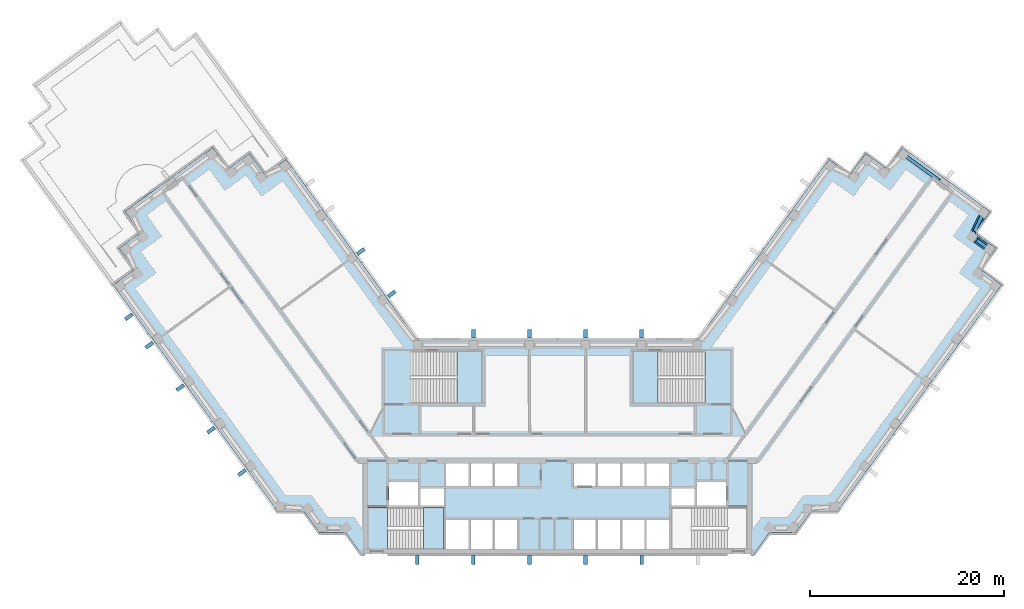
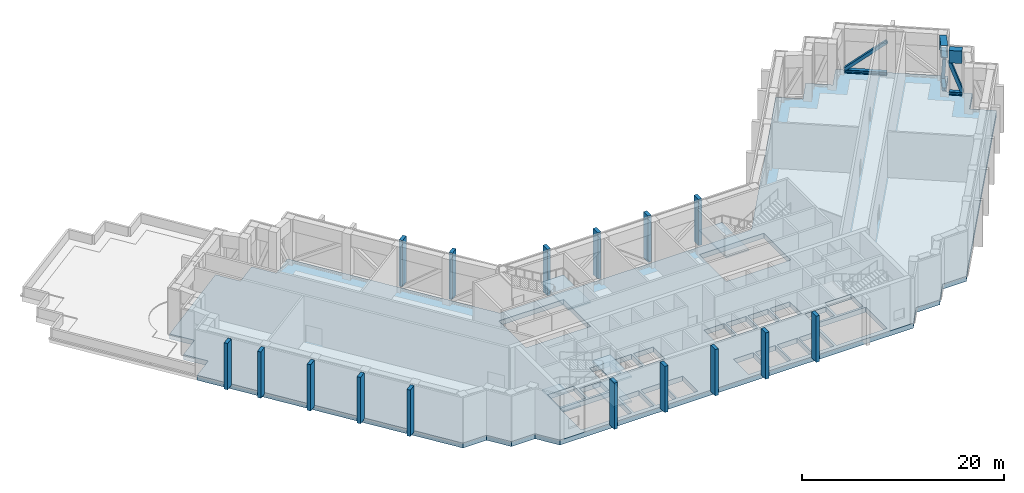
# One storey, part 4 of 16: 16 plates, 6 slabs, 5 beams, 3 members, 3 elements without a shape of their own.
"""IFC4 building model written with IfcOpenShell, lengths in metres."""

import ifcopenshell
import ifcopenshell.guid

model = None  # the IFC model being written
_history = None  # IfcOwnerHistory: only IFC2X3 demands one
_inside = {}  # id of a spatial element -> (the spatial element, [elements in it])
_under = {}  # id of a project, library or spatial element -> (it, [spatial elements below it])
_declared = {}  # id of a project -> (the project, [libraries it declares])
_typed = {}  # id of a type object -> (the type object, [elements of that type])
_made_of = {}  # id of a material, layer set ... -> (it, [elements and type objects made of it])


def new_model(schema):
    """Start an empty IFC model of exactly this schema.

    Asked for "IFC4X3", IfcOpenShell would pick the latest addendum, in which some entities
    have other attributes; the version numbers below select the first issue.
    IFC2X3 requires an IfcOwnerHistory on every rooted entity: one is made here for all.
    """
    global model, _history
    if schema == "IFC4X3":
        model = ifcopenshell.file(schema_version=(4, 3, 0, 0))
    else:
        model = ifcopenshell.file(schema=schema)
    _inside.clear()
    _under.clear()
    _declared.clear()
    _typed.clear()
    _made_of.clear()
    _history = None
    if model.schema == "IFC2X3":
        org = make("IfcOrganization", Name="unknown")
        user = make(
            "IfcPersonAndOrganization",
            ThePerson=make("IfcPerson", FamilyName="unknown"),
            TheOrganization=org,
        )
        app = make(
            "IfcApplication",
            ApplicationDeveloper=org,
            Version="unknown",
            ApplicationFullName="unknown",
            ApplicationIdentifier="unknown",
        )
        _history = make(
            "IfcOwnerHistory",
            OwningUser=user,
            OwningApplication=app,
            ChangeAction="ADDED",
            CreationDate=0,
        )
    return model


def make(cls, **values):
    """One entity of the class cls with the attributes given. An attribute that is None is left unset."""
    return model.create_entity(
        cls, **{name: value for name, value in values.items() if value is not None}
    )


def rooted(cls, **values):
    """An entity with a GlobalId (a new one), such as an element, a storey or a relation."""
    return make(cls, GlobalId=ifcopenshell.guid.new(), OwnerHistory=_history, **values)


def si_unit(unit_type, name, prefix=None):
    """IfcSIUnit, for example si_unit("LENGTHUNIT", "METRE", prefix="MILLI")."""
    return make("IfcSIUnit", UnitType=unit_type, Prefix=prefix, Name=name)


def assignment(units):
    """IfcUnitAssignment: the units of a project."""
    return None if units is None else make("IfcUnitAssignment", Units=units)


def point(xyz):
    """IfcCartesianPoint."""
    return None if xyz is None else make("IfcCartesianPoint", Coordinates=xyz)


def direction(xyz):
    """IfcDirection."""
    return None if xyz is None else make("IfcDirection", DirectionRatios=xyz)


def frame(location, z_axis=None, x_axis=None):
    """IfcAxis2Placement3D, a coordinate frame: its origin and axes. An axis left out is left unset."""
    return make(
        "IfcAxis2Placement3D",
        Location=point(location),
        Axis=direction(z_axis),
        RefDirection=direction(x_axis),
    )


def frame_2d(location, x_axis=None):
    """IfcAxis2Placement2D, a coordinate frame in the plane: its origin and x axis."""
    return make(
        "IfcAxis2Placement2D", Location=point(location), RefDirection=direction(x_axis)
    )


def origin():
    """The frame at (0, 0, 0) with its axes left unset."""
    return frame((0.0, 0.0, 0.0))


def origin_2d():
    """The frame at (0, 0) in the plane with its x axis left unset."""
    return frame_2d((0.0, 0.0))


def place(relative_to, where):
    """IfcLocalPlacement: puts the frame where relative to a parent placement (None: the world)."""
    return make(
        "IfcLocalPlacement", PlacementRelTo=relative_to, RelativePlacement=where
    )


def context(
    kind, dimensions, precision=None, world=None, true_north=None, identifier=None
):
    """IfcGeometricRepresentationContext, for example the 3D "Model" context."""
    return make(
        "IfcGeometricRepresentationContext",
        ContextIdentifier=identifier,
        ContextType=kind,
        CoordinateSpaceDimension=dimensions,
        Precision=precision,
        WorldCoordinateSystem=world,
        TrueNorth=true_north,
    )


def subcontext(parent, identifier, kind, view, scale=None):
    """IfcGeometricRepresentationSubContext, for example "Body" below "Model"."""
    return make(
        "IfcGeometricRepresentationSubContext",
        ContextIdentifier=identifier,
        ContextType=kind,
        ParentContext=parent,
        TargetScale=scale,
        TargetView=view,
    )


def project(units=None, contexts=None):
    """IfcProject with its units and contexts."""
    return rooted(
        "IfcProject",
        Name="project",
        RepresentationContexts=contexts,
        UnitsInContext=assignment(units),
    )


def spatial(cls, under=None, at=None, **own):
    """A site, building, storey or space (cls), placed at a placement, below another one or the project."""
    s = rooted(cls, ObjectPlacement=at, **own)
    if under is not None:
        _under.setdefault(under.id(), (under, []))[1].append(s)
    return s


def polyline(points):
    """IfcPolyline through the points."""
    return make("IfcPolyline", Points=[point(p) for p in points])


def profile(cls, at=None, kind="AREA", **sizes):
    """A parametric profile (cls). Its sizes go by their IFC names, for example OverallWidth=200.0."""
    return make(cls, ProfileType=kind, Position=at, **sizes)


def rectangle(**sizes):
    """IfcRectangleProfileDef."""
    return profile("IfcRectangleProfileDef", **sizes)


def hollow_rectangle(**sizes):
    """IfcRectangleHollowProfileDef."""
    return profile("IfcRectangleHollowProfileDef", **sizes)


def i_section(**sizes):
    """IfcIShapeProfileDef."""
    return profile("IfcIShapeProfileDef", **sizes)


def outline(outer, holes=None, kind="AREA"):
    """IfcArbitraryClosedProfileDef: a profile drawn as a closed curve; with holes, ...WithVoids."""
    if holes is None:
        return make("IfcArbitraryClosedProfileDef", ProfileType=kind, OuterCurve=outer)
    return make(
        "IfcArbitraryProfileDefWithVoids",
        ProfileType=kind,
        OuterCurve=outer,
        InnerCurves=holes,
    )


def extrude(swept, where, along, depth):
    """IfcExtrudedAreaSolid: the profile swept, set in the frame where, extruded along a direction by depth."""
    return make(
        "IfcExtrudedAreaSolid",
        SweptArea=swept,
        Position=where,
        ExtrudedDirection=direction(along),
        Depth=depth,
    )


def shape(context_of_items, identifier, shape_type, items):
    """IfcShapeRepresentation: the items that make up one representation, for example the "Body"."""
    return make(
        "IfcShapeRepresentation",
        ContextOfItems=context_of_items,
        RepresentationIdentifier=identifier,
        RepresentationType=shape_type,
        Items=items,
    )


def material(Name=None, Category=None):
    """IfcMaterial."""
    return make("IfcMaterial", Name=Name, Category=Category)


def layer(
    of_material, thickness, ventilated=None, Name=None, Category=None, Priority=None
):
    """IfcMaterialLayer: one layer of a wall or slab, of a material (None: an air gap)."""
    return make(
        "IfcMaterialLayer",
        Material=of_material,
        LayerThickness=thickness,
        IsVentilated=ventilated,
        Name=Name,
        Category=Category,
        Priority=Priority,
    )


def layer_set(layers, Name=None):
    """IfcMaterialLayerSet."""
    return make("IfcMaterialLayerSet", MaterialLayers=layers, LayerSetName=Name)


def material_profile(
    of_material, cross_section, Name=None, Category=None, Priority=None
):
    """IfcMaterialProfile: a cross section and its material."""
    return make(
        "IfcMaterialProfile",
        Name=Name,
        Material=of_material,
        Profile=cross_section,
        Priority=Priority,
        Category=Category,
    )


def profile_set(profiles, Name=None, composite=None):
    """IfcMaterialProfileSet."""
    return make(
        "IfcMaterialProfileSet",
        Name=Name,
        MaterialProfiles=profiles,
        CompositeProfile=composite,
    )


def made_of(thing, what):
    """Note that an element or type object is made of a material, layer set ...; save() writes the relation."""
    if what is not None:
        _made_of.setdefault(what.id(), (what, []))[1].append(thing)
    return thing


def type_object(cls, material=None, **own):
    """A type object (cls), such as IfcWallType, which elements share."""
    return made_of(rooted(cls, **own), material)


def element(
    cls,
    number,
    at=None,
    inside=None,
    cuts=None,
    type_object=None,
    material=None,
    context=None,
    identifier="Body",
    shape_type=None,
    held_by="IfcProductDefinitionShape",
    body=None,
    shapes=None,
    **own,
):
    """One element of the class cls, such as IfcWall. Its Tag is "e" and its number.

    at: its placement. inside: the storey or other place that contains it. cuts: it is an
    opening in that element (IfcRelVoidsElement). A single representation is given by context,
    identifier, shape_type and body (its items); several are given by shapes. held_by: the class
    of the entity that holds the representations. save() writes the other relations.
    """
    e = rooted(cls, Tag="e%d" % number, ObjectPlacement=at, **own)
    if body is not None:
        shapes = [shape(context, identifier, shape_type, body)]
    if shapes is not None:
        e.Representation = make(held_by, Representations=shapes)
    if inside is not None:
        _inside.setdefault(inside.id(), (inside, []))[1].append(e)
    if cuts is not None:
        rooted(
            "IfcRelVoidsElement", RelatingBuildingElement=cuts, RelatedOpeningElement=e
        )
    if type_object is not None:
        _typed.setdefault(type_object.id(), (type_object, []))[1].append(e)
    return made_of(e, material)


def aggregate(whole, parts):
    """IfcRelAggregates: a whole, such as a stair, and the parts it consists of."""
    return rooted("IfcRelAggregates", RelatingObject=whole, RelatedObjects=parts)


def save(model, path):
    """Write the relations noted so far, then the file.

    IfcRelAggregates (storeys below a building ...), IfcRelContainedInSpatialStructure (elements
    in a storey), IfcRelDefinesByType, IfcRelAssociatesMaterial and IfcRelDeclares: one each for
    every whole, place, type object, material and project.
    """
    for whole, parts in _under.values():
        aggregate(whole, parts)
    for where, things in _inside.values():
        rooted(
            "IfcRelContainedInSpatialStructure",
            RelatedElements=things,
            RelatingStructure=where,
        )
    for kind, things in _typed.values():
        rooted("IfcRelDefinesByType", RelatedObjects=things, RelatingType=kind)
    for what, things in _made_of.values():
        rooted("IfcRelAssociatesMaterial", RelatedObjects=things, RelatingMaterial=what)
    for by, libraries in _declared.values():
        rooted("IfcRelDeclares", RelatingContext=by, RelatedDefinitions=libraries)
    model.write(path)


model = new_model("IFC4")

# Units and contexts
model_context = context("Model", 3, precision=1e-05, world=origin(), true_north=direction((0.0, 1.0)))
body_context = subcontext(model_context, "Body", "Model", "MODEL_VIEW")
ifc_project = project(units=[si_unit("LENGTHUNIT", "METRE"), si_unit("AREAUNIT", "SQUARE_METRE"), si_unit("VOLUMEUNIT", "CUBIC_METRE"), si_unit("PLANEANGLEUNIT", "RADIAN"), si_unit("MASSUNIT", "GRAM", prefix="KILO")], contexts=[model_context])

# Site, building, storey
site_placement = place(None, origin())
site = spatial("IfcSite", under=ifc_project, at=site_placement, CompositionType="ELEMENT")
building_placement = place(site_placement, origin())
building = spatial("IfcBuilding", under=site, at=building_placement, Name="Quipu Civic Tower", CompositionType="ELEMENT")
storey_placement = place(building_placement, frame((0.0, 0.0, 133.0)))
storey = spatial("IfcBuildingStorey", under=building, at=storey_placement, Name="L31", CompositionType="ELEMENT", Elevation=133.0)

# Beams
ifc_material_1 = material(Name="Steel ASTM A992 Grade 50 (fy 345 MPa)", Category="steel")
ifc_material_profile_1 = material_profile(ifc_material_1, i_section(OverallWidth=0.39892578125, OverallDepth=0.393310546875, WebThickness=0.022705078125, FlangeThickness=0.03662109375, at=origin_2d()), Name="W360x287")
ifc_profile_set_1 = profile_set([ifc_material_profile_1], Name="Steel ASTM A992 Grade 50 (fy 345 MPa)")
beam_type_1 = type_object("IfcBeamType", Name="Belt truss bottom chord W360x287", PredefinedType="BEAM", material=ifc_profile_set_1)
beam_1_placement = place(storey_placement, frame((44.05078125, 20.59912109375, 0.296630859375), z_axis=(-0.809393823939, 0.587266240959, 0.0), x_axis=(-0.587266240959, -0.809393823939, 0.0)))
element("IfcBeam", 1, at=beam_1_placement, inside=storey, type_object=beam_type_1, Name="Truss bottom chord L31 T-Eo.2-E34 to T-Eo.3-E34", PredefinedType="BEAM", context=body_context, shape_type="SweptSolid", body=[
    extrude(i_section(OverallWidth=0.39892578125, OverallDepth=0.393310546875, WebThickness=0.022705078125, FlangeThickness=0.03662109375, at=origin_2d()), origin(), (0.0, 0.0, 1.0), 1.299072265625),
])
beam_2_placement = place(storey_placement, frame((42.83154296875, 22.03955078125, 0.296630859375), z_axis=(0.429892146977, 0.902880247856, 0.0), x_axis=(-0.902880247856, 0.429892146977, 0.0)))
element("IfcBeam", 2, at=beam_2_placement, inside=storey, type_object=beam_type_1, Name="Truss bottom chord L31 T-Eo.3-E34 to T-Eo.4-E34", PredefinedType="BEAM", context=body_context, shape_type="SweptSolid", body=[
    extrude(i_section(OverallWidth=0.39892578125, OverallDepth=0.393310546875, WebThickness=0.022705078125, FlangeThickness=0.03662109375, at=origin_2d()), origin(), (0.0, 0.0, 1.0), 1.829833984375),
])
beam_3_placement = place(storey_placement, frame((39.32666015625, 27.366455078125, 0.296630859375), z_axis=(-0.808969789945, 0.58785021813, 0.0), x_axis=(-0.58785021813, -0.808969789945, 0.0)))
element("IfcBeam", 3, at=beam_3_placement, inside=storey, type_object=beam_type_1, Name="Truss bottom chord L31 TIP-E-01-E34 to T-Ei.0-E34", PredefinedType="BEAM", context=body_context, shape_type="SweptSolid", body=[
    extrude(i_section(OverallWidth=0.39892578125, OverallDepth=0.393310546875, WebThickness=0.022705078125, FlangeThickness=0.03662109375, at=origin_2d()), origin(), (0.0, 0.0, 1.0), 4.199951171875),
])

# Members
ifc_material_2 = material(Name="Steel ASTM A500 Grade C (fy 345 MPa)", Category="steel")
ifc_material_profile_2 = material_profile(ifc_material_2, hollow_rectangle(XDim=0.355712890625, YDim=0.355712890625, WallThickness=0.015869140625, at=origin_2d()), Name="HSS356x356x16")
ifc_profile_set_2 = profile_set([ifc_material_profile_2], Name="Steel ASTM A500 Grade C (fy 345 MPa)")
member_type = type_object("IfcMemberType", Name="Belt truss diagonal HSS356x356x16", PredefinedType="BRACE", material=ifc_profile_set_2)
member_1_placement = place(storey_placement, frame((44.05078125, 20.59912109375, 0.4931640625), z_axis=(-0.274277275817, 0.199005453199, 0.94083410098), x_axis=(-0.587266240959, -0.809393823939, 0.0)))
element("IfcMember", 4, at=member_1_placement, inside=storey, type_object=member_type, Name="Truss diagonal L31 T-Eo.2-E34 to T-Eo.3-E34", PredefinedType="BRACE", context=body_context, shape_type="SweptSolid", body=[
    extrude(hollow_rectangle(XDim=0.355712890625, YDim=0.355712890625, WallThickness=0.015869140625, at=origin_2d()), origin(), (0.0, 0.0, 1.0), 3.833740234375),
])
member_2_placement = place(storey_placement, frame((42.828369140625, 22.03271484375, 4.10009765625), z_axis=(0.195781852054, 0.411208174335, -0.8902681078), x_axis=(-0.902887419393, 0.429877084644, 0.0)))
element("IfcMember", 5, at=member_2_placement, inside=storey, type_object=member_type, Name="Truss diagonal L31 T-Eo.3-E34 to T-Eo.4-E34", PredefinedType="BRACE", context=body_context, shape_type="SweptSolid", body=[
    extrude(hollow_rectangle(XDim=0.355712890625, YDim=0.355712890625, WallThickness=0.015869140625, at=origin_2d()), origin(), (0.0, 0.0, 1.0), 4.051513671875),
])
member_3_placement = place(storey_placement, frame((39.32666015625, 27.366455078125, 4.10009765625), z_axis=(-0.613717209349, 0.445966956826, -0.651509524389), x_axis=(-0.58785021813, -0.808969789945, 0.0)))
element("IfcMember", 6, at=member_3_placement, inside=storey, type_object=member_type, Name="Truss diagonal L31 TIP-E-01-E34 to T-Ei.0-E34", PredefinedType="BRACE", context=body_context, shape_type="SweptSolid", body=[
    extrude(hollow_rectangle(XDim=0.355712890625, YDim=0.355712890625, WallThickness=0.015869140625, at=origin_2d()), origin(), (0.0, 0.0, 1.0), 5.536376953125),
])

# Beams
ifc_material_3 = material(Name="Steel ASTM A572 Grade 50 (fy 345 MPa)", Category="steel")
ifc_material_profile_3 = material_profile(ifc_material_3, hollow_rectangle(XDim=0.699951171875, YDim=1.5, WallThickness=0.050048828125, at=origin_2d()), Name="BX1500x700x50")
ifc_profile_set_3 = profile_set([ifc_material_profile_3], Name="Steel ASTM A572 Grade 50 (fy 345 MPa)")
beam_type_2 = type_object("IfcBeamType", Name="Belt truss top chord BX1500x700x50", PredefinedType="BEAM", material=ifc_profile_set_3)
beam_4_placement = place(storey_placement, frame((44.05078125, 20.59912109375, 4.85009765625), z_axis=(-0.809393823939, 0.587266240959, 0.0), x_axis=(-0.587266240959, -0.809393823939, 0.0)))
element("IfcBeam", 7, at=beam_4_placement, inside=storey, type_object=beam_type_2, Name="Truss top chord L31 T-Eo.2-E34 to T-Eo.3-E34", PredefinedType="BEAM", context=body_context, shape_type="SweptSolid", body=[
    extrude(hollow_rectangle(XDim=0.699951171875, YDim=1.5, WallThickness=0.050048828125, at=origin_2d()), origin(), (0.0, 0.0, 1.0), 1.299072265625),
])
beam_5_placement = place(storey_placement, frame((42.83154296875, 22.03955078125, 4.85009765625), z_axis=(0.429892146977, 0.902880247856, 0.0), x_axis=(-0.902880247856, 0.429892146977, 0.0)))
element("IfcBeam", 8, at=beam_5_placement, inside=storey, type_object=beam_type_2, Name="Truss top chord L31 T-Eo.3-E34 to T-Eo.4-E34", PredefinedType="BEAM", context=body_context, shape_type="SweptSolid", body=[
    extrude(hollow_rectangle(XDim=0.699951171875, YDim=1.5, WallThickness=0.050048828125, at=origin_2d()), origin(), (0.0, 0.0, 1.0), 1.829833984375),
])

# Slab
ifc_material_4 = material(Name="Concrete C40/50", Category="concrete")
ifc_layer_1 = layer(ifc_material_4, 0.60009765625)
ifc_layer_set_1 = layer_set([ifc_layer_1], Name="Concrete C40/50")
slab_type_1 = type_object("IfcSlabType", Name="Floor slab 600 C40/50", PredefinedType="FLOOR", material=ifc_layer_set_1)
slab_1_placement = place(storey_placement, frame((0.0, 0.0, -0.60009765625)))
element("IfcSlab", 9, at=slab_1_placement, inside=storey, type_object=slab_type_1, Name="Floor slab L31", PredefinedType="FLOOR", context=body_context, shape_type="SweptSolid", body=[
    extrude(outline(polyline([(27.909912109375, 29.60498046875), (30.094970703125, 28.014892578125), (31.68505859375, 30.199951171875), (33.864990234375, 28.614990234375), (35.455078125, 30.800048828125), (44.514892578125, 24.215087890625), (42.929931640625, 22.030029296875), (45.114990234375, 20.445068359375), (43.52490234375, 18.260009765625), (45.7099609375, 16.669921875), (28.780029296875, -6.6298828125), (26.080078125, -6.6298828125), (24.489990234375, -8.81494140625), (21.7900390625, -8.81494140625), (20.205078125, -11.0), (-20.205078125, -11.0), (-21.7900390625, -8.81494140625), (-24.489990234375, -8.81494140625), (-26.080078125, -6.6298828125), (-28.780029296875, -6.6298828125), (-45.7099609375, 16.669921875), (-43.52490234375, 18.260009765625), (-45.114990234375, 20.445068359375), (-42.929931640625, 22.030029296875), (-44.514892578125, 24.215087890625), (-35.455078125, 30.800048828125), (-33.864990234375, 28.614990234375), (-31.68505859375, 30.199951171875), (-30.094970703125, 28.014892578125), (-27.909912109375, 29.60498046875), (-14.39501953125, 11.0), (14.39501953125, 11.0), (27.909912109375, 29.60498046875)]), holes=[polyline([(-11.449951171875, -7.5), (-11.449951171875, -10.5), (-9.14990234375, -10.5), (-9.14990234375, -7.5), (-11.449951171875, -7.5)]), polyline([(-8.949951171875, -7.5), (-8.949951171875, -10.5), (-6.64990234375, -10.5), (-6.64990234375, -7.5), (-8.949951171875, -7.5)]), polyline([(-6.449951171875, -7.5), (-6.449951171875, -10.5), (-4.14990234375, -10.5), (-4.14990234375, -7.5), (-6.449951171875, -7.5)]), polyline([(3.949951171875, -7.5), (1.64990234375, -7.5), (1.64990234375, -10.5), (3.949951171875, -10.5), (3.949951171875, -7.5)]), polyline([(-11.705078125, -10.4951171875), (-11.705078125, -6.2548828125), (-17.4951171875, -6.2548828125), (-17.4951171875, -10.4951171875), (-11.705078125, -10.4951171875)]), polyline([(-14.10009765625, -4.25), (-14.10009765625, -6.0), (-11.699951171875, -6.0), (-11.699951171875, -4.25), (-14.10009765625, -4.25)]), polyline([(-14.35009765625, -3.60009765625), (-17.35009765625, -3.60009765625), (-17.35009765625, -6.0), (-14.35009765625, -6.0), (-14.35009765625, -3.60009765625)]), polyline([(-9.14990234375, -1.699951171875), (-11.449951171875, -1.699951171875), (-11.449951171875, -4.0), (-9.14990234375, -4.0), (-9.14990234375, -1.699951171875)]), polyline([(-8.949951171875, -1.699951171875), (-8.949951171875, -4.0), (-6.64990234375, -4.0), (-6.64990234375, -1.699951171875), (-8.949951171875, -1.699951171875)]), polyline([(-4.14990234375, -1.699951171875), (-6.449951171875, -1.699951171875), (-6.449951171875, -4.0), (-4.14990234375, -4.0), (-4.14990234375, -1.699951171875)]), polyline([(-7.7548828125, 4.5048828125), (-7.7548828125, 9.844970703125), (-15.14501953125, 9.844970703125), (-15.14501953125, 4.5048828125), (-7.7548828125, 4.5048828125)]), polyline([(4.14990234375, -7.5), (4.14990234375, -10.5), (6.449951171875, -10.5), (6.449951171875, -7.5), (4.14990234375, -7.5)]), polyline([(6.64990234375, -7.5), (6.64990234375, -10.5), (8.949951171875, -10.5), (8.949951171875, -7.5), (6.64990234375, -7.5)]), polyline([(9.14990234375, -7.5), (9.14990234375, -10.5), (11.449951171875, -10.5), (11.449951171875, -7.5), (9.14990234375, -7.5)]), polyline([(11.705078125, -6.2548828125), (11.705078125, -10.4951171875), (17.4951171875, -10.4951171875), (17.4951171875, -6.2548828125), (11.705078125, -6.2548828125)]), polyline([(14.10009765625, -4.25), (11.699951171875, -4.25), (11.699951171875, -6.0), (14.10009765625, -6.0), (14.10009765625, -4.25)]), polyline([(14.35009765625, -3.60009765625), (14.35009765625, -6.0), (17.35009765625, -6.0), (17.35009765625, -3.60009765625), (14.35009765625, -3.60009765625)]), polyline([(3.949951171875, -1.699951171875), (1.64990234375, -1.699951171875), (1.64990234375, -4.0), (3.949951171875, -4.0), (3.949951171875, -1.699951171875)]), polyline([(6.449951171875, -1.699951171875), (4.14990234375, -1.699951171875), (4.14990234375, -4.0), (6.449951171875, -4.0), (6.449951171875, -1.699951171875)]), polyline([(6.64990234375, -1.699951171875), (6.64990234375, -4.0), (8.949951171875, -4.0), (8.949951171875, -1.699951171875), (6.64990234375, -1.699951171875)]), polyline([(11.449951171875, -1.699951171875), (9.14990234375, -1.699951171875), (9.14990234375, -4.0), (11.449951171875, -4.0), (11.449951171875, -1.699951171875)]), polyline([(7.7548828125, 9.844970703125), (7.7548828125, 4.5048828125), (15.14501953125, 4.5048828125), (15.14501953125, 9.844970703125), (7.7548828125, 9.844970703125)])]), origin(), (0.0, 0.0, 1.0), 0.60009765625),
])

# Plates
ifc_material_5 = material(Name="Precast concrete C40/50", Category="concrete")
plate_type = type_object("IfcPlateType", Name="Precast fin F2", PredefinedType="SHEET", material=ifc_material_5)
for number, where, z_axis, x_axis, name in (
    (10, (-17.052978515625, 15.74365234375, 0.0), (0.0, 0.0, 1.0), (-0.587787133119, 0.809015627871, 0.0), "Precast fin F2 L31.1.1"),
    (11, (-20.22705078125, 20.1123046875, 0.0), (0.0, 0.0, 1.0), (-0.587787133119, 0.809015627871, 0.0), "Precast fin F2 L31.1.2"),
    (12, (-44.1083984375, 13.3828125, 0.0), (0.0, 0.0, 1.0), (0.587785620359, -0.809016726959, 0.0), "Precast fin F2 L31.13.1"),
    (13, (-41.990966796875, 10.46826171875, 0.0), (0.0, 0.0, 1.0), (0.587785620359, -0.809016726959, 0.0), "Precast fin F2 L31.13.2"),
    (14, (-38.81689453125, 6.099609375, 0.0), (0.0, 0.0, 1.0), (0.587785620359, -0.809016726959, 0.0), "Precast fin F2 L31.13.3"),
    (15, (-35.642822265625, 1.73095703125, 0.0), (0.0, 0.0, 1.0), (0.587785620359, -0.809016726959, 0.0), "Precast fin F2 L31.13.4"),
    (16, (-32.46875, -2.637939453125, 0.0), (0.0, 0.0, 1.0), (0.587785620359, -0.809016726959, 0.0), "Precast fin F2 L31.13.5"),
    (17, (-14.431884765625, -11.637939453125, 0.0), (0.0, 0.0, 1.0), (1.0, 0.0, 0.0), "Precast fin F2 L31.19.1"),
    (18, (-8.658935546875, -11.637939453125, 0.0), (0.0, 0.0, 1.0), (1.0, 0.0, 0.0), "Precast fin F2 L31.19.2"),
    (19, (-2.885986328125, -11.637939453125, 0.0), (0.0, 0.0, 1.0), (1.0, 0.0, 0.0), "Precast fin F2 L31.19.3"),
    (20, (2.885986328125, -11.637939453125, 0.0), (0.0, 0.0, 1.0), (1.0, 0.0, 0.0), "Precast fin F2 L31.19.4"),
    (21, (8.658935546875, -11.637939453125, 0.0), (0.0, 0.0, 1.0), (1.0, 0.0, 0.0), "Precast fin F2 L31.19.5"),
    (22, (8.63720703125, 11.637939453125, 0.0), (0.0, 0.0, 1.0), (-1.0, 0.0, 0.0), "Precast fin F2 L31.36.1"),
    (23, (2.879150390625, 11.637939453125, 0.0), (0.0, 0.0, 1.0), (-1.0, 0.0, 0.0), "Precast fin F2 L31.36.2"),
    (24, (-2.87890625, 11.637939453125, 0.0), (0.0, 0.0, 1.0), (-1.0, 0.0, 0.0), "Precast fin F2 L31.36.3"),
    (25, (-8.63671875, 11.637939453125, 0.0), (0.0, 0.0, 1.0), (-1.0, 0.0, 0.0), "Precast fin F2 L31.36.4"),
):
    element("IfcPlate", number, at=place(storey_placement, frame(where, z_axis=z_axis, x_axis=x_axis)), inside=storey, type_object=plate_type, Name=name, PredefinedType="SHEET", context=body_context, shape_type="SweptSolid", body=[
        extrude(rectangle(XDim=0.3798828125, YDim=0.89990234375, at=origin_2d()), origin(), (0.0, 0.0, 1.0), 5.60009765625),
    ])

# Stair, slabs
ifc_material_6 = material(Name="Concrete C40/50", Category="concrete")
stair_type_1 = type_object("IfcStairType", Name="Half turn stair 2000", PredefinedType="HALF_TURN_STAIR", material=ifc_material_6)
stair_1_placement = place(storey_placement, origin())
stair_1 = element("IfcStair", 26, at=stair_1_placement, inside=storey, type_object=stair_type_1, Name="Exit stair 1", PredefinedType="HALF_TURN_STAIR")
ifc_material_7 = material(Name="Concrete C40/50", Category="concrete")
ifc_layer_2 = layer(ifc_material_7, 0.199951171875)
ifc_layer_set_2 = layer_set([ifc_layer_2], Name="Concrete C40/50")
slab_type_2 = type_object("IfcSlabType", Name="Stair landing 200", PredefinedType="LANDING", material=ifc_layer_set_2)
slab_2_placement = place(storey_placement, frame((0.0, 0.0, 1.300048828125)))
slab_2 = element("IfcSlab", 27, at=slab_2_placement, type_object=slab_type_2, Name="ST-1 landing 1", PredefinedType="LANDING", context=body_context, shape_type="SweptSolid", body=[
    extrude(outline(polyline([(-13.780029296875, -10.5), (-11.699951171875, -10.5), (-11.699951171875, -6.25), (-13.780029296875, -6.25), (-13.780029296875, -10.5)])), origin(), (0.0, 0.0, 1.0), 0.199951171875),
])
slab_3_placement = place(storey_placement, frame((0.0, 0.0, 2.800048828125)))
slab_3 = element("IfcSlab", 28, at=slab_3_placement, type_object=slab_type_2, Name="ST-1 landing 2", PredefinedType="LANDING", context=body_context, shape_type="SweptSolid", body=[
    extrude(outline(polyline([(-19.5, -10.5), (-17.5, -10.5), (-17.5, -6.25), (-19.5, -6.25), (-19.5, -10.5)])), origin(), (0.0, 0.0, 1.0), 0.199951171875),
])
slab_4_placement = place(storey_placement, frame((0.0, 0.0, 4.300048828125)))
slab_4 = element("IfcSlab", 29, at=slab_4_placement, type_object=slab_type_2, Name="ST-1 landing 3", PredefinedType="LANDING", context=body_context, shape_type="SweptSolid", body=[
    extrude(outline(polyline([(-13.780029296875, -10.5), (-11.699951171875, -10.5), (-11.699951171875, -6.25), (-13.780029296875, -6.25), (-13.780029296875, -10.5)])), origin(), (0.0, 0.0, 1.0), 0.199951171875),
])
aggregate(stair_1, [slab_2, slab_3, slab_4])

# Stair, slab
ifc_material_8 = material(Name="Concrete C40/50", Category="concrete")
stair_type_2 = type_object("IfcStairType", Name="Half turn stair 2600", PredefinedType="HALF_TURN_STAIR", material=ifc_material_8)
stair_2_placement = place(storey_placement, origin())
stair_2 = element("IfcStair", 30, at=stair_2_placement, inside=storey, type_object=stair_type_2, Name="Exit stair 3", PredefinedType="HALF_TURN_STAIR")
slab_5_placement = place(storey_placement, frame((0.0, 0.0, 2.800048828125)))
slab_5 = element("IfcSlab", 31, at=slab_5_placement, type_object=slab_type_2, Name="ST-3 landing 1", PredefinedType="LANDING", context=body_context, shape_type="SweptSolid", body=[
    extrude(outline(polyline([(-10.35009765625, 4.5), (-7.75, 4.5), (-7.75, 9.85009765625), (-10.35009765625, 9.85009765625), (-10.35009765625, 4.5)])), origin(), (0.0, 0.0, 1.0), 0.199951171875),
])
aggregate(stair_2, [slab_5])

stair_3_placement = place(storey_placement, origin())
stair_3 = element("IfcStair", 32, at=stair_3_placement, inside=storey, type_object=stair_type_2, Name="Exit stair 4", PredefinedType="HALF_TURN_STAIR")
slab_6_placement = place(storey_placement, frame((0.0, 0.0, 2.800048828125)))
slab_6 = element("IfcSlab", 33, at=slab_6_placement, type_object=slab_type_2, Name="ST-4 landing 1", PredefinedType="LANDING", context=body_context, shape_type="SweptSolid", body=[
    extrude(outline(polyline([(10.35009765625, 9.85009765625), (7.75, 9.85009765625), (7.75, 4.5), (10.35009765625, 4.5), (10.35009765625, 9.85009765625)])), origin(), (0.0, 0.0, 1.0), 0.199951171875),
])
aggregate(stair_3, [slab_6])

save(model, "model.ifc")
